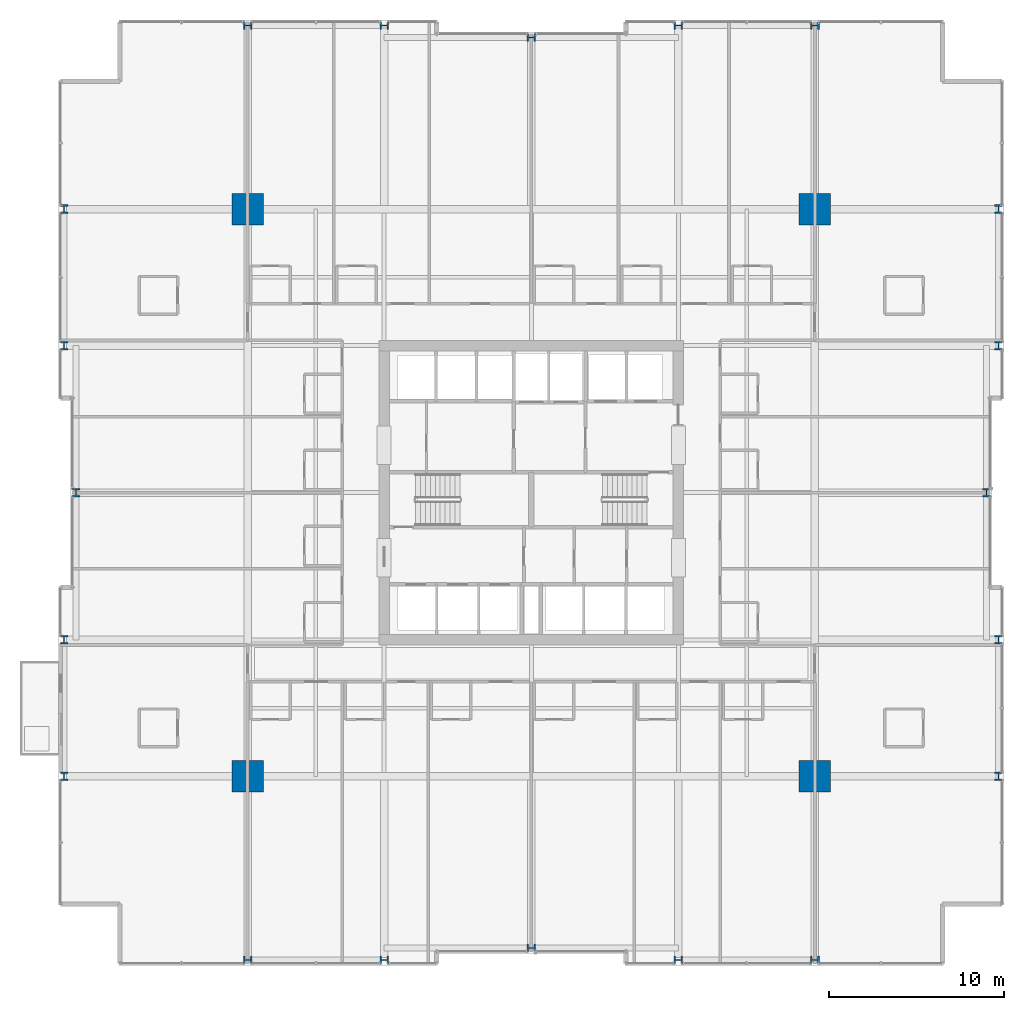
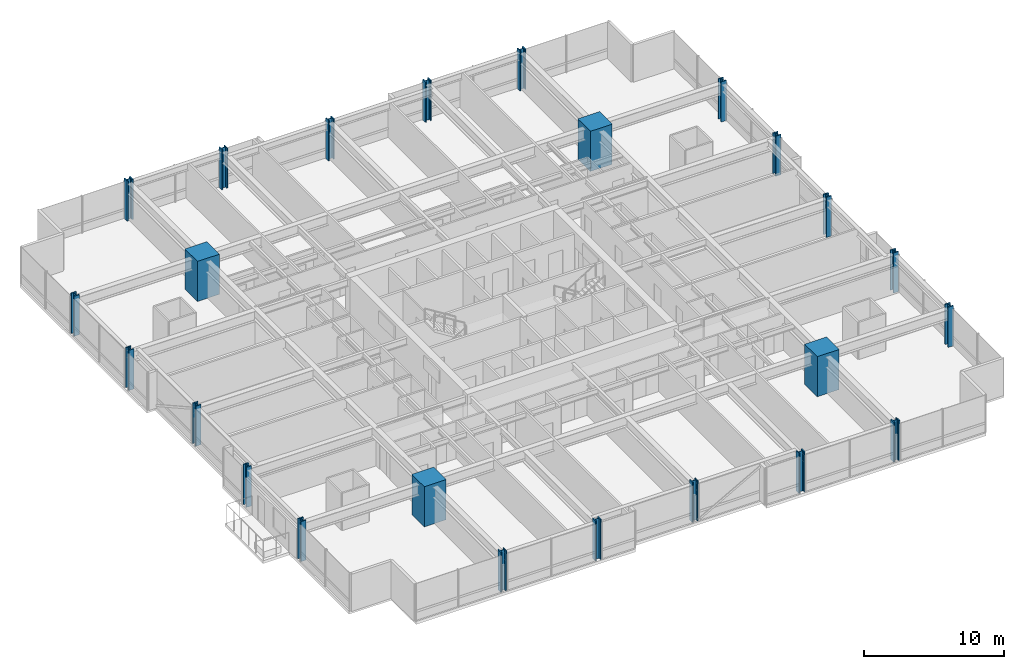
# One storey, part 1 of 39: 24 columns.
"""IFC4 building model written with IfcOpenShell, lengths in metres."""

from ifc_helpers import new_model, si_unit, direction, frame, origin, origin_2d, place, context, subcontext, project, spatial, rectangle, i_section, extrude, material, material_profile, profile_set, type_object, element, save


model = new_model("IFC4")

# Units and contexts
model_context = context("Model", 3, precision=1e-05, world=origin(), true_north=direction((0.0, 1.0)))
body_context = subcontext(model_context, "Body", "Model", "MODEL_VIEW")
ifc_project = project(units=[si_unit("LENGTHUNIT", "METRE"), si_unit("AREAUNIT", "SQUARE_METRE"), si_unit("VOLUMEUNIT", "CUBIC_METRE"), si_unit("PLANEANGLEUNIT", "RADIAN"), si_unit("MASSUNIT", "GRAM", prefix="KILO")], contexts=[model_context])

# Site, building, storey
site_placement = place(None, origin())
site = spatial("IfcSite", under=ifc_project, at=site_placement, CompositionType="ELEMENT")
building_placement = place(site_placement, origin())
building = spatial("IfcBuilding", under=site, at=building_placement, Name="Drelvath Grand Hotel", CompositionType="ELEMENT")
storey_placement = place(building_placement, frame((0.0, 0.0, 36.699951171875)))
storey = spatial("IfcBuildingStorey", under=building, at=storey_placement, Name="L07", CompositionType="ELEMENT", Elevation=36.699951171875)

# Columns
ifc_material_1 = material(Name="Concrete f'c 70 MPa", Category="concrete")
ifc_material_profile_1 = material_profile(ifc_material_1, rectangle(XDim=1.800048828125, YDim=1.800048828125, at=origin_2d()), Name="MC1800X1800")
ifc_profile_set_1 = profile_set([ifc_material_profile_1], Name="Concrete f'c 70 MPa")
column_type_1 = type_object("IfcColumnType", Name="Composite Mega Column MC1800X1800", PredefinedType="COLUMN", material=ifc_profile_set_1)
for number, where, z_axis, x_axis, name in (
    (1, (-16.199951171875, 10.800048828125, 0.0), (0.0, 0.0, 1.0), (1.0, 0.0, 0.0), "L07 Composite Mega Column MC-SW"),
    (2, (16.199951171875, 10.800048828125, 0.0), (0.0, 0.0, 1.0), (1.0, 0.0, 0.0), "L07 Composite Mega Column MC-SE"),
    (3, (-16.199951171875, 43.199951171875, 0.0), (0.0, 0.0, 1.0), (1.0, 0.0, 0.0), "L07 Composite Mega Column MC-NW"),
    (4, (16.199951171875, 43.199951171875, 0.0), (0.0, 0.0, 1.0), (1.0, 0.0, 0.0), "L07 Composite Mega Column MC-NE"),
):
    element("IfcColumn", number, at=place(storey_placement, frame(where, z_axis=z_axis, x_axis=x_axis)), inside=storey, type_object=column_type_1, Name=name, PredefinedType="COLUMN", context=body_context, shape_type="SweptSolid", body=[
        extrude(rectangle(XDim=1.800048828125, YDim=1.800048828125, at=origin_2d()), origin(), (0.0, 0.0, 1.0), 3.5),
    ])
ifc_material_2 = material(Name="Steel ASTM A913 Gr 65", Category="steel")
ifc_material_profile_2 = material_profile(ifc_material_2, i_section(OverallWidth=0.43212890625, OverallDepth=0.497802734375, WebThickness=0.0556640625, FlangeThickness=0.0888671875, FilletRadius=0.030029296875, at=origin_2d()), Name="W14X500")
ifc_profile_set_2 = profile_set([ifc_material_profile_2], Name="Steel ASTM A913 Gr 65")
column_type_2 = type_object("IfcColumnType", Name="Perimeter Steel Column W14X500", PredefinedType="COLUMN", material=ifc_profile_set_2)
for number, where, z_axis, x_axis, name in (
    (5, (-26.679931640625, 10.800048828125, 0.0), (0.0, 0.0, 1.0), (1.0, 0.0, 0.0), "L07 Structural Column TCW-C"),
    (6, (26.679931640625, 10.800048828125, 0.0), (0.0, 0.0, 1.0), (1.0, 0.0, 0.0), "L07 Structural Column TCE-C"),
    (7, (-26.679931640625, 18.60009765625, 0.0), (0.0, 0.0, 1.0), (1.0, 0.0, 0.0), "L07 Structural Column TCW-D"),
    (8, (26.679931640625, 18.60009765625, 0.0), (0.0, 0.0, 1.0), (1.0, 0.0, 0.0), "L07 Structural Column TCE-D"),
    (9, (-26.0, 27.0, 0.0), (0.0, 0.0, 1.0), (1.0, 0.0, 0.0), "L07 Structural Column TCW-E"),
    (10, (26.0, 27.0, 0.0), (0.0, 0.0, 1.0), (1.0, 0.0, 0.0), "L07 Structural Column TCE-E"),
    (11, (-26.679931640625, 35.39990234375, 0.0), (0.0, 0.0, 1.0), (1.0, 0.0, 0.0), "L07 Structural Column TCW-F"),
    (12, (26.679931640625, 35.39990234375, 0.0), (0.0, 0.0, 1.0), (1.0, 0.0, 0.0), "L07 Structural Column TCE-F"),
    (13, (-26.679931640625, 43.199951171875, 0.0), (0.0, 0.0, 1.0), (1.0, 0.0, 0.0), "L07 Structural Column TCW-G"),
    (14, (26.679931640625, 43.199951171875, 0.0), (0.0, 0.0, 1.0), (1.0, 0.0, 0.0), "L07 Structural Column TCE-G"),
    (15, (-16.199951171875, 0.320068359375, 0.0), (0.0, 0.0, 1.0), (0.0, 1.0, 0.0), "L07 Structural Column TCS-3"),
    (16, (-16.199951171875, 53.679931640625, 0.0), (0.0, 0.0, 1.0), (0.0, 1.0, 0.0), "L07 Structural Column TCN-3"),
    (17, (-8.39990234375, 0.320068359375, 0.0), (0.0, 0.0, 1.0), (0.0, 1.0, 0.0), "L07 Structural Column TCS-4"),
    (18, (-8.39990234375, 53.679931640625, 0.0), (0.0, 0.0, 1.0), (0.0, 1.0, 0.0), "L07 Structural Column TCN-4"),
    (19, (0.0, 1.0, 0.0), (0.0, 0.0, 1.0), (0.0, 1.0, 0.0), "L07 Structural Column TCS-5"),
    (20, (0.0, 53.0, 0.0), (0.0, 0.0, 1.0), (0.0, 1.0, 0.0), "L07 Structural Column TCN-5"),
    (21, (8.39990234375, 0.320068359375, 0.0), (0.0, 0.0, 1.0), (0.0, 1.0, 0.0), "L07 Structural Column TCS-6"),
    (22, (8.39990234375, 53.679931640625, 0.0), (0.0, 0.0, 1.0), (0.0, 1.0, 0.0), "L07 Structural Column TCN-6"),
    (23, (16.199951171875, 0.320068359375, 0.0), (0.0, 0.0, 1.0), (0.0, 1.0, 0.0), "L07 Structural Column TCS-7"),
    (24, (16.199951171875, 53.679931640625, 0.0), (0.0, 0.0, 1.0), (0.0, 1.0, 0.0), "L07 Structural Column TCN-7"),
):
    element("IfcColumn", number, at=place(storey_placement, frame(where, z_axis=z_axis, x_axis=x_axis)), inside=storey, type_object=column_type_2, Name=name, PredefinedType="COLUMN", context=body_context, shape_type="SweptSolid", body=[
        extrude(i_section(OverallWidth=0.43212890625, OverallDepth=0.497802734375, WebThickness=0.0556640625, FlangeThickness=0.0888671875, FilletRadius=0.030029296875, at=origin_2d()), origin(), (0.0, 0.0, 1.0), 3.4970703125),
    ])

save(model, "model.ifc")
